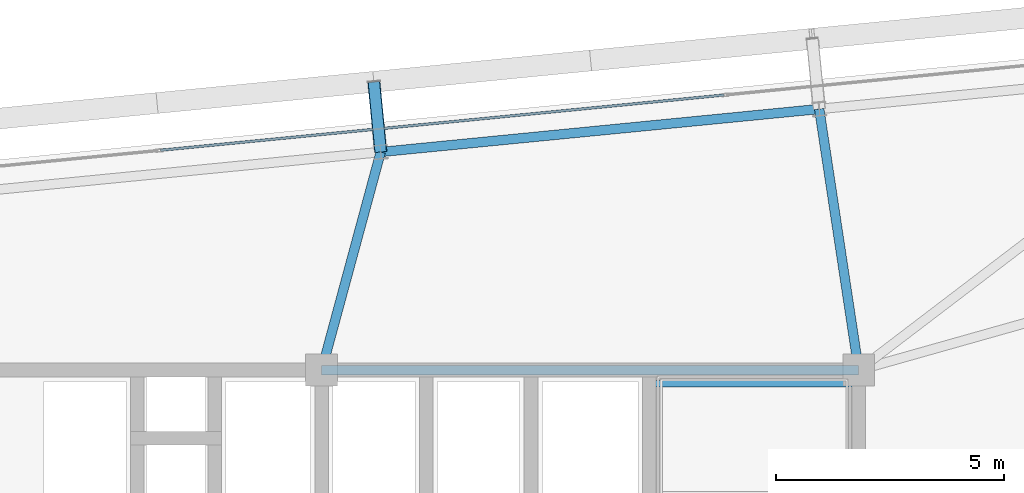
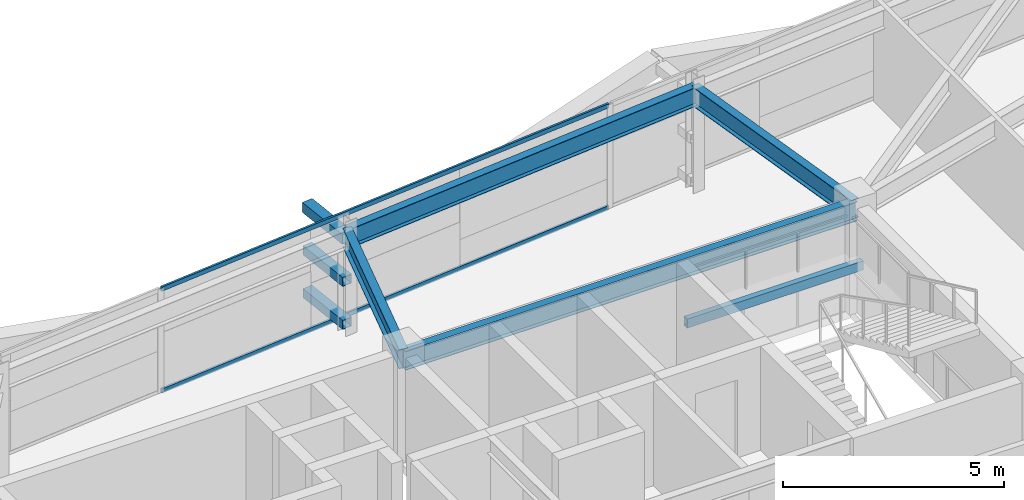
# One storey, part 28 of 47: 5 beams, 5 members, 1 element without a shape of its own.
"""IFC4 building model written with IfcOpenShell, lengths in metres."""

from ifc_helpers import new_model, si_unit, direction, frame, origin, origin_2d, place, context, subcontext, project, spatial, hollow_rectangle, i_section, extrude, source, transform, mapped, material, layer, layer_set, material_profile, profile_set, type_object, element, aggregate, save


model = new_model("IFC4")

# Units and contexts
model_context = context("Model", 3, precision=1e-05, world=origin(), true_north=direction((0.0, 1.0)))
body_context = subcontext(model_context, "Body", "Model", "MODEL_VIEW")
ifc_project = project(units=[si_unit("LENGTHUNIT", "METRE"), si_unit("AREAUNIT", "SQUARE_METRE"), si_unit("VOLUMEUNIT", "CUBIC_METRE"), si_unit("PLANEANGLEUNIT", "RADIAN"), si_unit("MASSUNIT", "GRAM", prefix="KILO")], contexts=[model_context])

# Site, building, storey
site_placement = place(None, origin())
site = spatial("IfcSite", under=ifc_project, at=site_placement, CompositionType="ELEMENT")
building_placement = place(site_placement, origin())
building = spatial("IfcBuilding", under=site, at=building_placement, Name="Taldren Reach Tower", CompositionType="ELEMENT")
storey_placement = place(building_placement, frame((0.0, 0.0, 109.199951171875)))
storey = spatial("IfcBuildingStorey", under=building, at=storey_placement, Name="L33", CompositionType="ELEMENT", Elevation=109.199951171875)

# Beam
ifc_material_1 = material(Name="Steel Gr 350 (350PLUS)", Category="steel")
ifc_material_profile_1 = material_profile(ifc_material_1, i_section(OverallWidth=0.208984375, OverallDepth=0.532958984375, WebThickness=0.01025390625, FlangeThickness=0.015625, at=origin_2d()), Name="530UB92.4")
ifc_profile_set_1 = profile_set([ifc_material_profile_1], Name="Steel Gr 350 (350PLUS)")
beam_type_1 = type_object("IfcBeamType", Name="BM-UB530A", PredefinedType="BEAM", material=ifc_profile_set_1)
shared_shape_1 = source(origin(), body_context, "Body", "SweptSolid", [
    extrude(i_section(OverallWidth=0.208984375, OverallDepth=0.532958984375, WebThickness=0.01025390625, FlangeThickness=0.015625, at=origin_2d()), origin(), (0.0, 0.0, 1.0), 11.800048828125),
])
beam_1_placement = place(storey_placement, frame((39.199951171875, 32.0, 2.603515625), z_axis=(1.0, 0.0, 0.0), x_axis=(0.0, 1.0, 0.0)))
element("IfcBeam", 1, at=beam_1_placement, inside=storey, type_object=beam_type_1, Name="Core-spine girder L33-SP06", PredefinedType="BEAM", context=body_context, shape_type="MappedRepresentation", body=[
    mapped(shared_shape_1, transform((0.0, 0.0, 0.0), scale=1.0)),
])

# Members
ifc_material_2 = material(Name="Steel Gr 450 (C450L0)", Category="steel")
ifc_material_profile_2 = material_profile(ifc_material_2, hollow_rectangle(XDim=0.27490234375, YDim=0.27490234375, WallThickness=0.00927734375, at=origin_2d()), Name="275x275x9.3SHS")
ifc_profile_set_2 = profile_set([ifc_material_profile_2], Name="Steel Gr 450 (C450L0)")
member_type_1 = type_object("IfcMemberType", Name="MB-TIE273", PredefinedType="STRUT", material=ifc_profile_set_2)
shared_shape_2 = source(origin(), body_context, "Body", "SweptSolid", [
    extrude(hollow_rectangle(XDim=0.27490234375, YDim=0.27490234375, WallThickness=0.00927734375, at=origin_2d()), origin(), (0.0, 0.0, 1.0), 1.5498046875),
])
member_1_placement = place(storey_placement, frame((40.498291015625, 36.790771484375, 2.590087890625), z_axis=(-0.097663201064, 0.995219523099, 0.0), x_axis=(-0.995219523099, -0.097663201064, 0.0)))
element("IfcMember", 2, at=member_1_placement, inside=storey, type_object=member_type_1, Name="Exoskeleton diaphragm tie strut B2-N4 L33", PredefinedType="STRUT", context=body_context, shape_type="MappedRepresentation", body=[
    mapped(shared_shape_2, transform((0.0, 0.0, 0.0), scale=1.0)),
])
ifc_material_3 = material(Name="Steel Gr 350 (C350L0)", Category="steel")
ifc_material_profile_3 = material_profile(ifc_material_3, hollow_rectangle(XDim=0.25, YDim=0.25, WallThickness=0.010009765625, at=origin_2d()), Name="250x250x10.0SHS")
ifc_profile_set_3 = profile_set([ifc_material_profile_3], Name="Steel Gr 350 (C350L0)")
member_type_2 = type_object("IfcMemberType", Name="MB-POST250", PredefinedType="POST", material=ifc_profile_set_3)
shared_shape_3 = source(origin(), body_context, "Body", "SweptSolid", [
    extrude(hollow_rectangle(XDim=0.25, YDim=0.25, WallThickness=0.010009765625, at=origin_2d()), origin(), (0.0, 0.0, 1.0), 1.5498046875),
])
for number, where, z_axis, x_axis, name in (
    (3, (40.498291015625, 36.790771484375, 0.219970703125), (-0.097663201064, 0.995219523099, 0.0), (-0.995219523099, -0.097663201064, 0.0), "Exoskeleton base diaphragm tie strut B2-N4 L33"),
    (4, (40.498291015625, 36.790771484375, 1.405029296875), (-0.097663201064, 0.995219523099, 0.0), (-0.995219523099, -0.097663201064, 0.0), "Exoskeleton mid-tier diaphragm tie B2-N4 L33"),
):
    element("IfcMember", number, at=place(storey_placement, frame(where, z_axis=z_axis, x_axis=x_axis)), inside=storey, type_object=member_type_2, Name=name, PredefinedType="POST", context=body_context, shape_type="MappedRepresentation", body=[
        mapped(shared_shape_3, transform((0.0, 0.0, 0.0), scale=1.0)),
    ])

# Beams
ifc_material_profile_4 = material_profile(ifc_material_1, i_section(OverallWidth=0.208984375, OverallDepth=0.528076171875, WebThickness=0.009521484375, FlangeThickness=0.01318359375, at=origin_2d()), Name="530UB82.0")
ifc_profile_set_4 = profile_set([ifc_material_profile_4], Name="Steel Gr 350 (350PLUS)")
beam_type_2 = type_object("IfcBeamType", Name="SP-UB530B", PredefinedType="SPANDREL", material=ifc_profile_set_4)
shared_shape_4 = source(origin(), body_context, "Body", "SweptSolid", [
    extrude(i_section(OverallWidth=0.208984375, OverallDepth=0.528076171875, WebThickness=0.009521484375, FlangeThickness=0.01318359375, at=origin_2d()), origin(), (0.0, 0.0, 1.0), 9.679931640625),
])
beam_2_placement = place(storey_placement, frame((50.132080078125, 37.7353515625, 2.60595703125), z_axis=(-0.995227612658, -0.097580730699, 0.0), x_axis=(0.097580730699, -0.995227612658, 0.0)))
element("IfcBeam", 5, at=beam_2_placement, inside=storey, type_object=beam_type_2, Name="Perimeter spandrel B2 N5-N4 L33", PredefinedType="SPANDREL", context=body_context, shape_type="MappedRepresentation", body=[
    mapped(shared_shape_4, transform((0.0, 0.0, 0.0), scale=1.0)),
])
shared_shape_5 = source(origin(), body_context, "Body", "SweptSolid", [
    extrude(i_section(OverallWidth=0.208984375, OverallDepth=0.532958984375, WebThickness=0.01025390625, FlangeThickness=0.015625, at=origin_2d()), origin(), (0.0, 0.0, 1.0), 5.800537109375),
])
beam_3_placement = place(storey_placement, frame((51.0, 32.0, 2.603515625), z_axis=(-0.149624592867, 0.988742879221, 0.0), x_axis=(-0.988742879221, -0.149624592867, 0.0)))
element("IfcBeam", 6, at=beam_3_placement, inside=storey, type_object=beam_type_1, Name="Primary floor girder B2-N5 L33", PredefinedType="BEAM", context=body_context, shape_type="MappedRepresentation", body=[
    mapped(shared_shape_5, transform((0.0, 0.0, 0.0), scale=1.0)),
])
shared_shape_6 = source(origin(), body_context, "Body", "SweptSolid", [
    extrude(i_section(OverallWidth=0.208984375, OverallDepth=0.532958984375, WebThickness=0.01025390625, FlangeThickness=0.015625, at=origin_2d()), origin(), (0.0, 0.0, 1.0), 4.963623046875),
])
beam_4_placement = place(storey_placement, frame((39.199951171875, 32.0, 2.603515625), z_axis=(0.261572995851, 0.965183696423, 0.0), x_axis=(-0.965183696423, 0.261572995851, 0.0)))
element("IfcBeam", 7, at=beam_4_placement, inside=storey, type_object=beam_type_1, Name="Primary floor girder B2-N4 L33", PredefinedType="BEAM", context=body_context, shape_type="MappedRepresentation", body=[
    mapped(shared_shape_6, transform((0.0, 0.0, 0.0), scale=1.0)),
])

# Curtain wall, members
ifc_material_4 = material(Name="Aluminium and Low-E Glass Unitised System", Category="aluminium")
ifc_layer = layer(ifc_material_4, 0.159912109375)
ifc_layer_set = layer_set([ifc_layer], Name="Aluminium and Low-E Glass Unitised System")
curtain_wall_type = type_object("IfcCurtainWallType", Name="CW-SYS-3", PredefinedType="NOTDEFINED", material=ifc_layer_set)
curtain_wall_placement = place(storey_placement, origin())
curtain_wall = element("IfcCurtainWall", 8, at=curtain_wall_placement, inside=storey, type_object=curtain_wall_type, Name="Unitised curtain wall CW-L33-N", PredefinedType="NOTDEFINED")
ifc_material_5 = material(Name="Anodised Aluminium 6063-T6", Category="aluminium")
ifc_material_profile_5 = material_profile(ifc_material_5, hollow_rectangle(XDim=0.054931640625, YDim=0.1201171875, WallThickness=0.0029296875, at=origin_2d()), Name="ALU-120x55x3RHS")
ifc_profile_set_5 = profile_set([ifc_material_profile_5], Name="Anodised Aluminium 6063-T6")
member_type_3 = type_object("IfcMemberType", Name="CW-TRN-135", PredefinedType="USERDEFINED", material=ifc_profile_set_5)
shared_shape_7 = source(origin(), body_context, "Body", "SweptSolid", [
    extrude(hollow_rectangle(XDim=0.054931640625, YDim=0.1201171875, WallThickness=0.0029296875, at=origin_2d()), origin(), (0.0, 0.0, 1.0), 12.43505859375),
])
member_2_placement = place(storey_placement, frame((48.03955078125, 38.04248046875, 0.027587890625), z_axis=(-0.995227964368, -0.097577143535, 0.0), x_axis=(0.097577143535, -0.995227964368, 0.0)))
member_2 = element("IfcMember", 9, at=member_2_placement, type_object=member_type_3, Name="CW-3 transom 2.1", ObjectType="TRANSOM", PredefinedType="USERDEFINED", context=body_context, shape_type="MappedRepresentation", body=[
    mapped(shared_shape_7, transform((0.0, 0.0, 0.0), scale=1.0)),
])
member_3_placement = place(storey_placement, frame((48.03955078125, 38.04248046875, 2.842529296875), z_axis=(-0.995227964368, -0.097577143535, 0.0), x_axis=(0.097577143535, -0.995227964368, 0.0)))
member_3 = element("IfcMember", 10, at=member_3_placement, type_object=member_type_3, Name="CW-3 transom 2.2", ObjectType="TRANSOM", PredefinedType="USERDEFINED", context=body_context, shape_type="MappedRepresentation", body=[
    mapped(shared_shape_7, transform((0.0, 0.0, 0.0), scale=1.0)),
])
aggregate(curtain_wall, [member_2, member_3])

# Beam
ifc_material_profile_6 = material_profile(ifc_material_3, hollow_rectangle(XDim=0.14990234375, YDim=0.25, WallThickness=0.009033203125, at=origin_2d()), Name="250x150x9.0RHS")
ifc_profile_set_6 = profile_set([ifc_material_profile_6], Name="Steel Gr 350 (C350L0)")
beam_type_3 = type_object("IfcBeamType", Name="LN-RHS250", PredefinedType="LINTEL", material=ifc_profile_set_6)
shared_shape_8 = source(origin(), body_context, "Body", "SweptSolid", [
    extrude(hollow_rectangle(XDim=0.14990234375, YDim=0.25, WallThickness=0.009033203125, at=origin_2d()), origin(), (0.0, 0.0, 1.0), 4.60009765625),
])
beam_5_placement = place(storey_placement, frame((46.39990234375, 31.699951171875, 1.27001953125), z_axis=(1.0, 0.0, 0.0), x_axis=(0.0, 1.0, 0.0)))
element("IfcBeam", 11, at=beam_5_placement, inside=storey, type_object=beam_type_3, Name="Stair half-landing support beam ST2-L33-2", PredefinedType="LINTEL", context=body_context, shape_type="MappedRepresentation", body=[
    mapped(shared_shape_8, transform((0.0, 0.0, 0.0), scale=1.0)),
])

save(model, "model.ifc")
